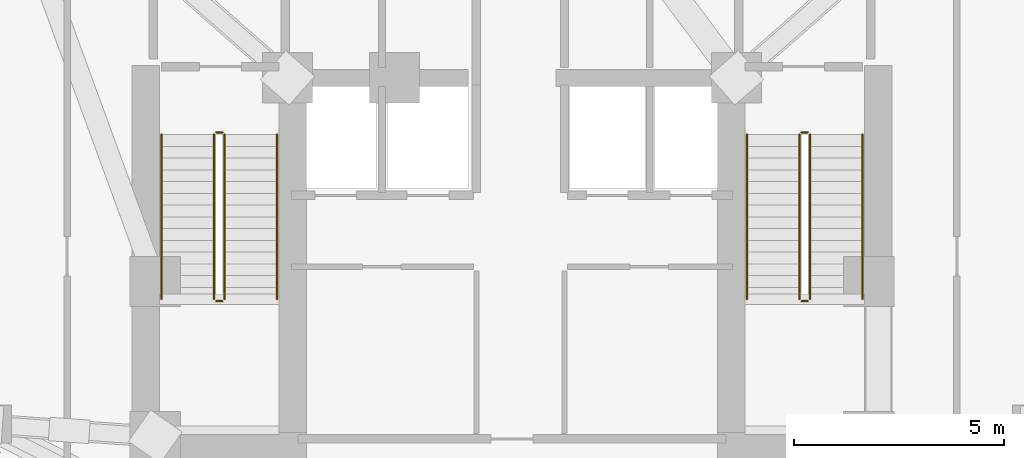
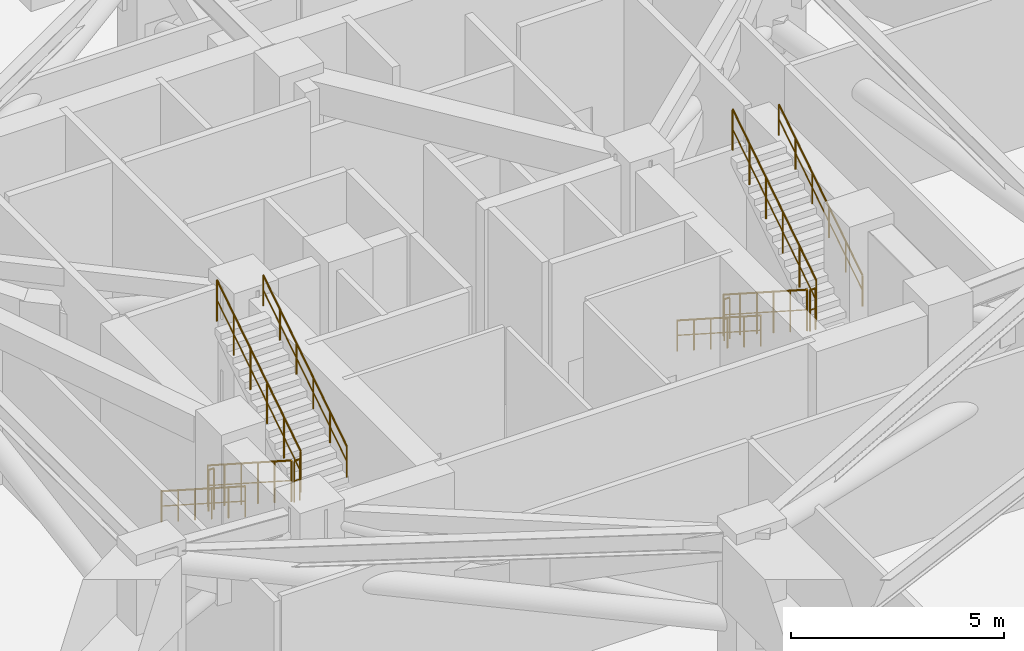
# One storey, part 6 of 6: 12 railings.
"""IFC4 building model written with IfcOpenShell, lengths in metres."""

from ifc_helpers import new_model, si_unit, direction, frame, origin, origin_2d, place, context, subcontext, project, spatial, circle, extrude, material, type_object, element, save


model = new_model("IFC4")

# Units and contexts
model_context = context("Model", 3, precision=1e-05, world=origin(), true_north=direction((0.0, 1.0)))
body_context = subcontext(model_context, "Body", "Model", "MODEL_VIEW")
ifc_project = project(units=[si_unit("LENGTHUNIT", "METRE"), si_unit("AREAUNIT", "SQUARE_METRE"), si_unit("VOLUMEUNIT", "CUBIC_METRE"), si_unit("PLANEANGLEUNIT", "RADIAN"), si_unit("MASSUNIT", "GRAM", prefix="KILO")], contexts=[model_context])

# Site, building, storey
site_placement = place(None, origin())
site = spatial("IfcSite", under=ifc_project, at=site_placement, CompositionType="ELEMENT")
building_placement = place(site_placement, origin())
building = spatial("IfcBuilding", under=site, at=building_placement, Name="Miruveldt Soraemaru", CompositionType="ELEMENT")
storey_placement = place(building_placement, frame((0.0, 0.0, 90.39990234375)))
storey = spatial("IfcBuildingStorey", under=building, at=storey_placement, Name="L25", CompositionType="ELEMENT", Elevation=90.39990234375)

# Railings
ifc_material = material(Name="Steel S355 (355 MPa)", Category="steel")
railing_type_1 = type_object("IfcRailingType", Name="RAIL-HR-900", PredefinedType="HANDRAIL", material=ifc_material)
railing_1_placement = place(storey_placement, frame((35.64990234375, 42.699951171875, 0.18017578125)))
element("IfcRailing", 1, at=railing_1_placement, inside=storey, type_object=railing_type_1, Name="L25 ST-1 stair handrail 1", PredefinedType="HANDRAIL", context=body_context, shape_type="SweptSolid", body=[
    extrude(circle(Radius=0.02392578125, at=origin_2d()), frame((0.0, 0.0, 0.8759765625), z_axis=(0.0, -0.841171666519, 0.540768182723), x_axis=(1.0, 0.0, 0.0)), (0.0, 0.0, 1.0), 4.66015625),
    extrude(circle(Radius=0.01611328125, at=origin_2d()), frame((0.0, 0.0, 0.449951171875), z_axis=(0.0, -0.841171666519, 0.540768182723), x_axis=(1.0, 0.0, 0.0)), (0.0, 0.0, 1.0), 4.66015625),
    extrude(circle(Radius=0.02099609375, at=origin_2d()), origin(), (0.0, 0.0, 1.0), 0.851806640625),
    extrude(circle(Radius=0.02099609375, at=origin_2d()), frame((0.0, -0.783935546875, 0.50390625)), (0.0, 0.0, 1.0), 0.851806640625),
    extrude(circle(Radius=0.02099609375, at=origin_2d()), frame((0.0, -1.56787109375, 1.008056640625)), (0.0, 0.0, 1.0), 0.851806640625),
    extrude(circle(Radius=0.02099609375, at=origin_2d()), frame((0.0, -2.35205078125, 1.511962890625)), (0.0, 0.0, 1.0), 0.851806640625),
    extrude(circle(Radius=0.02099609375, at=origin_2d()), frame((0.0, -3.135986328125, 2.01611328125)), (0.0, 0.0, 1.0), 0.851806640625),
    extrude(circle(Radius=0.02099609375, at=origin_2d()), frame((0.0, -3.919921875, 2.52001953125)), (0.0, 0.0, 1.0), 0.851806640625),
])
railing_2_placement = place(storey_placement, frame((38.39990234375, 38.780029296875, 2.880126953125)))
element("IfcRailing", 2, at=railing_2_placement, inside=storey, type_object=railing_type_1, Name="L25 ST-1 stair handrail 2", PredefinedType="HANDRAIL", context=body_context, shape_type="SweptSolid", body=[
    extrude(circle(Radius=0.02392578125, at=origin_2d()), frame((0.0, 0.0, 0.8759765625), z_axis=(0.0, 0.841171666519, 0.540768182723), x_axis=(-1.0, 0.0, 0.0)), (0.0, 0.0, 1.0), 4.66015625),
    extrude(circle(Radius=0.01611328125, at=origin_2d()), frame((0.0, 0.0, 0.449951171875), z_axis=(0.0, 0.841171666519, 0.540768182723), x_axis=(-1.0, 0.0, 0.0)), (0.0, 0.0, 1.0), 4.66015625),
    extrude(circle(Radius=0.02099609375, at=origin_2d()), origin(), (0.0, 0.0, 1.0), 0.851806640625),
    extrude(circle(Radius=0.02099609375, at=origin_2d()), frame((0.0, 0.783935546875, 0.50390625)), (0.0, 0.0, 1.0), 0.851806640625),
    extrude(circle(Radius=0.02099609375, at=origin_2d()), frame((0.0, 1.56787109375, 1.008056640625)), (0.0, 0.0, 1.0), 0.851806640625),
    extrude(circle(Radius=0.02099609375, at=origin_2d()), frame((0.0, 2.35205078125, 1.511962890625)), (0.0, 0.0, 1.0), 0.851806640625),
    extrude(circle(Radius=0.02099609375, at=origin_2d()), frame((0.0, 3.135986328125, 2.01611328125)), (0.0, 0.0, 1.0), 0.851806640625),
    extrude(circle(Radius=0.02099609375, at=origin_2d()), frame((0.0, 3.919921875, 2.52001953125)), (0.0, 0.0, 1.0), 0.851806640625),
])
railing_3_placement = place(storey_placement, frame((49.60009765625, 42.699951171875, 0.18017578125)))
element("IfcRailing", 3, at=railing_3_placement, inside=storey, type_object=railing_type_1, Name="L25 ST-2 stair handrail 1", PredefinedType="HANDRAIL", context=body_context, shape_type="SweptSolid", body=[
    extrude(circle(Radius=0.02392578125, at=origin_2d()), frame((0.0, 0.0, 0.8759765625), z_axis=(0.0, -0.841171666519, 0.540768182723), x_axis=(1.0, 0.0, 0.0)), (0.0, 0.0, 1.0), 4.66015625),
    extrude(circle(Radius=0.01611328125, at=origin_2d()), frame((0.0, 0.0, 0.449951171875), z_axis=(0.0, -0.841171666519, 0.540768182723), x_axis=(1.0, 0.0, 0.0)), (0.0, 0.0, 1.0), 4.66015625),
    extrude(circle(Radius=0.02099609375, at=origin_2d()), origin(), (0.0, 0.0, 1.0), 0.851806640625),
    extrude(circle(Radius=0.02099609375, at=origin_2d()), frame((0.0, -0.783935546875, 0.50390625)), (0.0, 0.0, 1.0), 0.851806640625),
    extrude(circle(Radius=0.02099609375, at=origin_2d()), frame((0.0, -1.56787109375, 1.008056640625)), (0.0, 0.0, 1.0), 0.851806640625),
    extrude(circle(Radius=0.02099609375, at=origin_2d()), frame((0.0, -2.35205078125, 1.511962890625)), (0.0, 0.0, 1.0), 0.851806640625),
    extrude(circle(Radius=0.02099609375, at=origin_2d()), frame((0.0, -3.135986328125, 2.01611328125)), (0.0, 0.0, 1.0), 0.851806640625),
    extrude(circle(Radius=0.02099609375, at=origin_2d()), frame((0.0, -3.919921875, 2.52001953125)), (0.0, 0.0, 1.0), 0.851806640625),
])
railing_4_placement = place(storey_placement, frame((52.35009765625, 38.780029296875, 2.880126953125)))
element("IfcRailing", 4, at=railing_4_placement, inside=storey, type_object=railing_type_1, Name="L25 ST-2 stair handrail 2", PredefinedType="HANDRAIL", context=body_context, shape_type="SweptSolid", body=[
    extrude(circle(Radius=0.02392578125, at=origin_2d()), frame((0.0, 0.0, 0.8759765625), z_axis=(0.0, 0.841171666519, 0.540768182723), x_axis=(-1.0, 0.0, 0.0)), (0.0, 0.0, 1.0), 4.66015625),
    extrude(circle(Radius=0.01611328125, at=origin_2d()), frame((0.0, 0.0, 0.449951171875), z_axis=(0.0, 0.841171666519, 0.540768182723), x_axis=(-1.0, 0.0, 0.0)), (0.0, 0.0, 1.0), 4.66015625),
    extrude(circle(Radius=0.02099609375, at=origin_2d()), origin(), (0.0, 0.0, 1.0), 0.851806640625),
    extrude(circle(Radius=0.02099609375, at=origin_2d()), frame((0.0, 0.783935546875, 0.50390625)), (0.0, 0.0, 1.0), 0.851806640625),
    extrude(circle(Radius=0.02099609375, at=origin_2d()), frame((0.0, 1.56787109375, 1.008056640625)), (0.0, 0.0, 1.0), 0.851806640625),
    extrude(circle(Radius=0.02099609375, at=origin_2d()), frame((0.0, 2.35205078125, 1.511962890625)), (0.0, 0.0, 1.0), 0.851806640625),
    extrude(circle(Radius=0.02099609375, at=origin_2d()), frame((0.0, 3.135986328125, 2.01611328125)), (0.0, 0.0, 1.0), 0.851806640625),
    extrude(circle(Radius=0.02099609375, at=origin_2d()), frame((0.0, 3.919921875, 2.52001953125)), (0.0, 0.0, 1.0), 0.851806640625),
])
railing_type_2 = type_object("IfcRailingType", Name="RAIL-STGUARD-1200", PredefinedType="GUARDRAIL", material=ifc_material)
railing_5_placement = place(storey_placement, frame((36.89990234375, 42.699951171875, 0.18017578125)))
element("IfcRailing", 5, at=railing_5_placement, inside=storey, type_object=railing_type_2, Name="L25 ST-1 stair guard 1", PredefinedType="GUARDRAIL", context=body_context, shape_type="SweptSolid", body=[
    extrude(circle(Radius=0.02392578125, at=origin_2d()), frame((0.0, 0.0, 1.17578125), z_axis=(0.0, -0.841171666519, 0.540768182723), x_axis=(1.0, 0.0, 0.0)), (0.0, 0.0, 1.0), 4.66015625),
    extrude(circle(Radius=0.01611328125, at=origin_2d()), frame((0.0, 0.0, 0.60009765625), z_axis=(0.0, -0.841171666519, 0.540768182723), x_axis=(1.0, 0.0, 0.0)), (0.0, 0.0, 1.0), 4.66015625),
    extrude(circle(Radius=0.02099609375, at=origin_2d()), origin(), (0.0, 0.0, 1.0), 1.15185546875),
    extrude(circle(Radius=0.02099609375, at=origin_2d()), frame((0.0, -0.783935546875, 0.50390625)), (0.0, 0.0, 1.0), 1.15185546875),
    extrude(circle(Radius=0.02099609375, at=origin_2d()), frame((0.0, -1.56787109375, 1.008056640625)), (0.0, 0.0, 1.0), 1.15185546875),
    extrude(circle(Radius=0.02099609375, at=origin_2d()), frame((0.0, -2.35205078125, 1.511962890625)), (0.0, 0.0, 1.0), 1.15185546875),
    extrude(circle(Radius=0.02099609375, at=origin_2d()), frame((0.0, -3.135986328125, 2.01611328125)), (0.0, 0.0, 1.0), 1.15185546875),
    extrude(circle(Radius=0.02099609375, at=origin_2d()), frame((0.0, -3.919921875, 2.52001953125)), (0.0, 0.0, 1.0), 1.15185546875),
])
railing_6_placement = place(storey_placement, frame((36.949951171875, 38.72998046875, 2.7001953125)))
element("IfcRailing", 6, at=railing_6_placement, inside=storey, type_object=railing_type_2, Name="L25 ST-1 stair guard 2", PredefinedType="GUARDRAIL", context=body_context, shape_type="SweptSolid", body=[
    extrude(circle(Radius=0.02392578125, at=origin_2d()), frame((0.0, 0.0, 1.17578125), z_axis=(1.0, 0.0, 0.0), x_axis=(0.0, 1.0, 0.0)), (0.0, 0.0, 1.0), 0.150146484375),
    extrude(circle(Radius=0.01611328125, at=origin_2d()), frame((0.0, 0.0, 0.60009765625), z_axis=(1.0, 0.0, 0.0), x_axis=(0.0, 1.0, 0.0)), (0.0, 0.0, 1.0), 0.150146484375),
    extrude(circle(Radius=0.02099609375, at=origin_2d()), origin(), (0.0, 0.0, 1.0), 1.15185546875),
    extrude(circle(Radius=0.02099609375, at=origin_2d()), frame((0.150146484375, 0.0, 0.0)), (0.0, 0.0, 1.0), 1.15185546875),
])
railing_7_placement = place(storey_placement, frame((37.14990234375, 38.780029296875, 2.880126953125)))
element("IfcRailing", 7, at=railing_7_placement, inside=storey, type_object=railing_type_2, Name="L25 ST-1 stair guard 3", PredefinedType="GUARDRAIL", context=body_context, shape_type="SweptSolid", body=[
    extrude(circle(Radius=0.02392578125, at=origin_2d()), frame((0.0, 0.0, 1.17578125), z_axis=(0.0, 0.841171666519, 0.540768182723), x_axis=(-1.0, 0.0, 0.0)), (0.0, 0.0, 1.0), 4.66015625),
    extrude(circle(Radius=0.01611328125, at=origin_2d()), frame((0.0, 0.0, 0.60009765625), z_axis=(0.0, 0.841171666519, 0.540768182723), x_axis=(-1.0, 0.0, 0.0)), (0.0, 0.0, 1.0), 4.66015625),
    extrude(circle(Radius=0.02099609375, at=origin_2d()), origin(), (0.0, 0.0, 1.0), 1.15185546875),
    extrude(circle(Radius=0.02099609375, at=origin_2d()), frame((0.0, 0.783935546875, 0.50390625)), (0.0, 0.0, 1.0), 1.15185546875),
    extrude(circle(Radius=0.02099609375, at=origin_2d()), frame((0.0, 1.56787109375, 1.008056640625)), (0.0, 0.0, 1.0), 1.15185546875),
    extrude(circle(Radius=0.02099609375, at=origin_2d()), frame((0.0, 2.35205078125, 1.511962890625)), (0.0, 0.0, 1.0), 1.15185546875),
    extrude(circle(Radius=0.02099609375, at=origin_2d()), frame((0.0, 3.135986328125, 2.01611328125)), (0.0, 0.0, 1.0), 1.15185546875),
    extrude(circle(Radius=0.02099609375, at=origin_2d()), frame((0.0, 3.919921875, 2.52001953125)), (0.0, 0.0, 1.0), 1.15185546875),
])
railing_8_placement = place(storey_placement, frame((36.949951171875, 42.75, 0.0)))
element("IfcRailing", 8, at=railing_8_placement, inside=storey, type_object=railing_type_2, Name="L25 ST-1 stair guard 4", PredefinedType="GUARDRAIL", context=body_context, shape_type="SweptSolid", body=[
    extrude(circle(Radius=0.02392578125, at=origin_2d()), frame((0.0, 0.0, 1.17578125), z_axis=(1.0, 0.0, 0.0), x_axis=(0.0, 1.0, 0.0)), (0.0, 0.0, 1.0), 0.150146484375),
    extrude(circle(Radius=0.01611328125, at=origin_2d()), frame((0.0, 0.0, 0.60009765625), z_axis=(1.0, 0.0, 0.0), x_axis=(0.0, 1.0, 0.0)), (0.0, 0.0, 1.0), 0.150146484375),
    extrude(circle(Radius=0.02099609375, at=origin_2d()), origin(), (0.0, 0.0, 1.0), 1.15185546875),
    extrude(circle(Radius=0.02099609375, at=origin_2d()), frame((0.150146484375, 0.0, 0.0)), (0.0, 0.0, 1.0), 1.15185546875),
])
railing_9_placement = place(storey_placement, frame((50.85009765625, 42.699951171875, 0.18017578125)))
element("IfcRailing", 9, at=railing_9_placement, inside=storey, type_object=railing_type_2, Name="L25 ST-2 stair guard 1", PredefinedType="GUARDRAIL", context=body_context, shape_type="SweptSolid", body=[
    extrude(circle(Radius=0.02392578125, at=origin_2d()), frame((0.0, 0.0, 1.17578125), z_axis=(0.0, -0.841171666519, 0.540768182723), x_axis=(1.0, 0.0, 0.0)), (0.0, 0.0, 1.0), 4.66015625),
    extrude(circle(Radius=0.01611328125, at=origin_2d()), frame((0.0, 0.0, 0.60009765625), z_axis=(0.0, -0.841171666519, 0.540768182723), x_axis=(1.0, 0.0, 0.0)), (0.0, 0.0, 1.0), 4.66015625),
    extrude(circle(Radius=0.02099609375, at=origin_2d()), origin(), (0.0, 0.0, 1.0), 1.15185546875),
    extrude(circle(Radius=0.02099609375, at=origin_2d()), frame((0.0, -0.783935546875, 0.50390625)), (0.0, 0.0, 1.0), 1.15185546875),
    extrude(circle(Radius=0.02099609375, at=origin_2d()), frame((0.0, -1.56787109375, 1.008056640625)), (0.0, 0.0, 1.0), 1.15185546875),
    extrude(circle(Radius=0.02099609375, at=origin_2d()), frame((0.0, -2.35205078125, 1.511962890625)), (0.0, 0.0, 1.0), 1.15185546875),
    extrude(circle(Radius=0.02099609375, at=origin_2d()), frame((0.0, -3.135986328125, 2.01611328125)), (0.0, 0.0, 1.0), 1.15185546875),
    extrude(circle(Radius=0.02099609375, at=origin_2d()), frame((0.0, -3.919921875, 2.52001953125)), (0.0, 0.0, 1.0), 1.15185546875),
])
railing_10_placement = place(storey_placement, frame((50.89990234375, 38.72998046875, 2.7001953125)))
element("IfcRailing", 10, at=railing_10_placement, inside=storey, type_object=railing_type_2, Name="L25 ST-2 stair guard 2", PredefinedType="GUARDRAIL", context=body_context, shape_type="SweptSolid", body=[
    extrude(circle(Radius=0.02392578125, at=origin_2d()), frame((0.0, 0.0, 1.17578125), z_axis=(1.0, 0.0, 0.0), x_axis=(0.0, 1.0, 0.0)), (0.0, 0.0, 1.0), 0.150146484375),
    extrude(circle(Radius=0.01611328125, at=origin_2d()), frame((0.0, 0.0, 0.60009765625), z_axis=(1.0, 0.0, 0.0), x_axis=(0.0, 1.0, 0.0)), (0.0, 0.0, 1.0), 0.150146484375),
    extrude(circle(Radius=0.02099609375, at=origin_2d()), origin(), (0.0, 0.0, 1.0), 1.15185546875),
    extrude(circle(Radius=0.02099609375, at=origin_2d()), frame((0.150146484375, 0.0, 0.0)), (0.0, 0.0, 1.0), 1.15185546875),
])
railing_11_placement = place(storey_placement, frame((51.10009765625, 38.780029296875, 2.880126953125)))
element("IfcRailing", 11, at=railing_11_placement, inside=storey, type_object=railing_type_2, Name="L25 ST-2 stair guard 3", PredefinedType="GUARDRAIL", context=body_context, shape_type="SweptSolid", body=[
    extrude(circle(Radius=0.02392578125, at=origin_2d()), frame((0.0, 0.0, 1.17578125), z_axis=(0.0, 0.841171666519, 0.540768182723), x_axis=(-1.0, 0.0, 0.0)), (0.0, 0.0, 1.0), 4.66015625),
    extrude(circle(Radius=0.01611328125, at=origin_2d()), frame((0.0, 0.0, 0.60009765625), z_axis=(0.0, 0.841171666519, 0.540768182723), x_axis=(-1.0, 0.0, 0.0)), (0.0, 0.0, 1.0), 4.66015625),
    extrude(circle(Radius=0.02099609375, at=origin_2d()), origin(), (0.0, 0.0, 1.0), 1.15185546875),
    extrude(circle(Radius=0.02099609375, at=origin_2d()), frame((0.0, 0.783935546875, 0.50390625)), (0.0, 0.0, 1.0), 1.15185546875),
    extrude(circle(Radius=0.02099609375, at=origin_2d()), frame((0.0, 1.56787109375, 1.008056640625)), (0.0, 0.0, 1.0), 1.15185546875),
    extrude(circle(Radius=0.02099609375, at=origin_2d()), frame((0.0, 2.35205078125, 1.511962890625)), (0.0, 0.0, 1.0), 1.15185546875),
    extrude(circle(Radius=0.02099609375, at=origin_2d()), frame((0.0, 3.135986328125, 2.01611328125)), (0.0, 0.0, 1.0), 1.15185546875),
    extrude(circle(Radius=0.02099609375, at=origin_2d()), frame((0.0, 3.919921875, 2.52001953125)), (0.0, 0.0, 1.0), 1.15185546875),
])
railing_12_placement = place(storey_placement, frame((50.89990234375, 42.75, 0.0)))
element("IfcRailing", 12, at=railing_12_placement, inside=storey, type_object=railing_type_2, Name="L25 ST-2 stair guard 4", PredefinedType="GUARDRAIL", context=body_context, shape_type="SweptSolid", body=[
    extrude(circle(Radius=0.02392578125, at=origin_2d()), frame((0.0, 0.0, 1.17578125), z_axis=(1.0, 0.0, 0.0), x_axis=(0.0, 1.0, 0.0)), (0.0, 0.0, 1.0), 0.150146484375),
    extrude(circle(Radius=0.01611328125, at=origin_2d()), frame((0.0, 0.0, 0.60009765625), z_axis=(1.0, 0.0, 0.0), x_axis=(0.0, 1.0, 0.0)), (0.0, 0.0, 1.0), 0.150146484375),
    extrude(circle(Radius=0.02099609375, at=origin_2d()), origin(), (0.0, 0.0, 1.0), 1.15185546875),
    extrude(circle(Radius=0.02099609375, at=origin_2d()), frame((0.150146484375, 0.0, 0.0)), (0.0, 0.0, 1.0), 1.15185546875),
])

save(model, "model.ifc")
